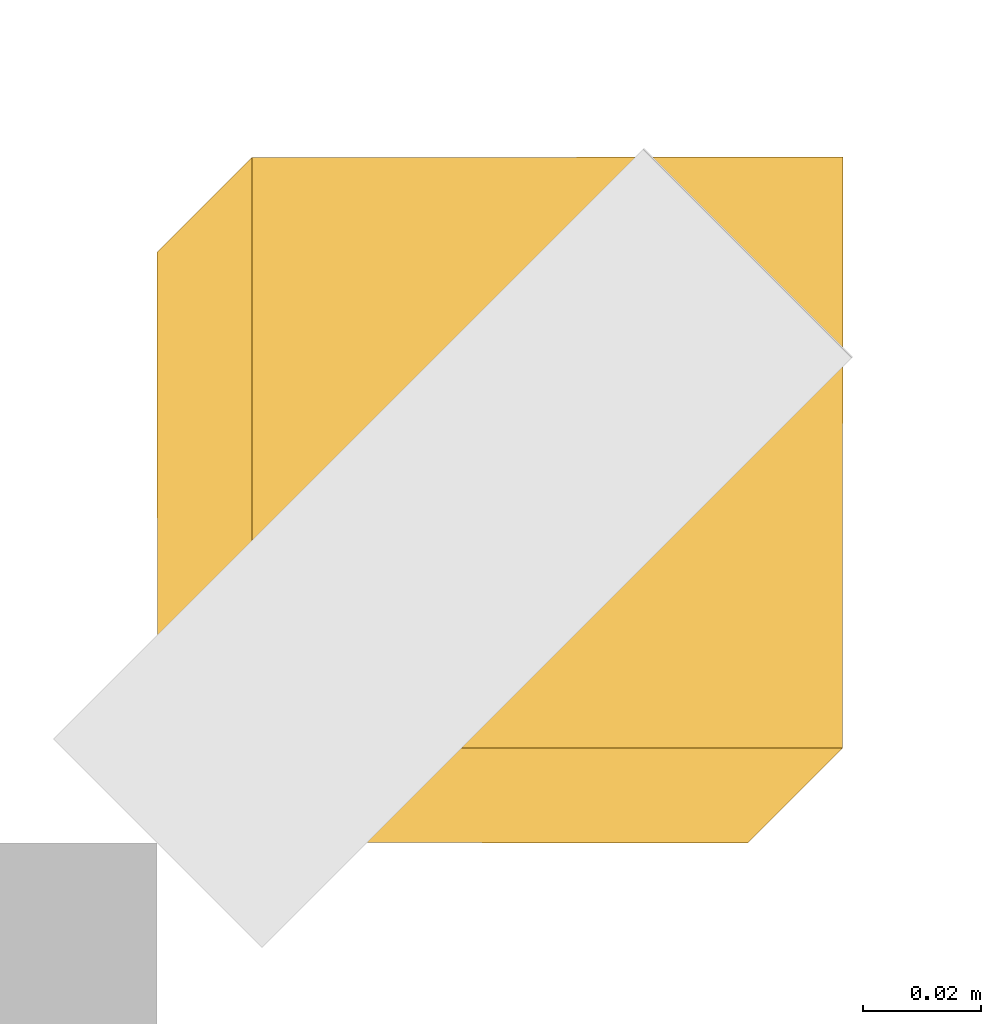
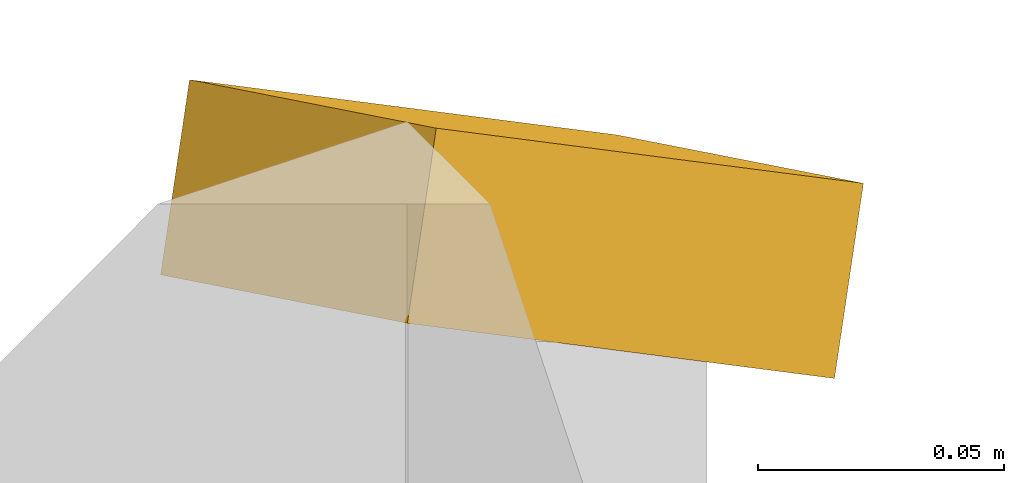
# One storey, part 30 of 30: 1 shading device.
"""IFC4 building model written with IfcOpenShell, lengths in metres."""

from ifc_helpers import new_model, si_unit, direction, frame, origin, place, context, subcontext, project, spatial, polyline, outline, extrude, material, layer, layer_set, type_object, element, save


model = new_model("IFC4")

# Units and contexts
model_context = context("Model", 3, precision=1e-05, world=origin(), true_north=direction((0.0, 1.0)))
body_context = subcontext(model_context, "Body", "Model", "MODEL_VIEW")
ifc_project = project(units=[si_unit("LENGTHUNIT", "METRE"), si_unit("AREAUNIT", "SQUARE_METRE"), si_unit("VOLUMEUNIT", "CUBIC_METRE"), si_unit("PLANEANGLEUNIT", "RADIAN"), si_unit("MASSUNIT", "GRAM", prefix="KILO")], contexts=[model_context])

# Site, building, storey
site_placement = place(None, origin())
site = spatial("IfcSite", under=ifc_project, at=site_placement, CompositionType="ELEMENT")
building_placement = place(site_placement, origin())
building = spatial("IfcBuilding", under=site, at=building_placement, Name="Ussher Court Research Institute", CompositionType="ELEMENT")
storey_placement = place(building_placement, frame((0.0, 0.0, 27.89990234375)))
storey = spatial("IfcBuildingStorey", under=building, at=storey_placement, Name="L06", CompositionType="ELEMENT", Elevation=27.89990234375)

# Shading device
ifc_material = material(Name="Bronze anodised aluminium", Category="aluminium")
ifc_layer = layer(ifc_material, 0.0400390625)
ifc_layer_set = layer_set([ifc_layer], Name="Bronze anodised aluminium")
shading_device_type = type_object("IfcShadingDeviceType", Name="Brim visor sheet 40 mm canted 26 deg wet", PredefinedType="USERDEFINED", material=ifc_layer_set)
shading_device_placement = place(storey_placement, frame((104.216064453125, 33.216064453125, 4.48291015625), z_axis=(0.400847757571, 0.400847757571, 0.823797396512), x_axis=(0.899269394429, -0.000362285341, -0.437395044544)))
element("IfcShadingDevice", 1, at=shading_device_placement, inside=storey, type_object=shading_device_type, Name="Brim visor sheet BR1 L06", ObjectType="BRIM", PredefinedType="USERDEFINED", context=body_context, shape_type="SweptSolid", body=[
    extrude(outline(polyline([(0.0, 0.0), (0.11126515272958254, 0.0), (0.13258606872546647, 0.10931209908468126), (0.021214130096336967, 0.10922405822982874), (0.0, 0.0)])), origin(), (0.0, 0.0, -1.0), 0.0400390625),
])

save(model, "model.ifc")
